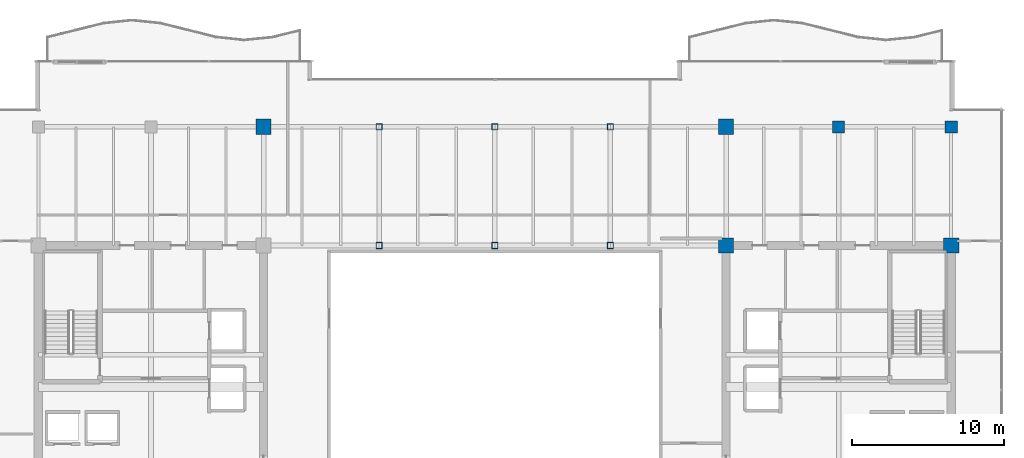
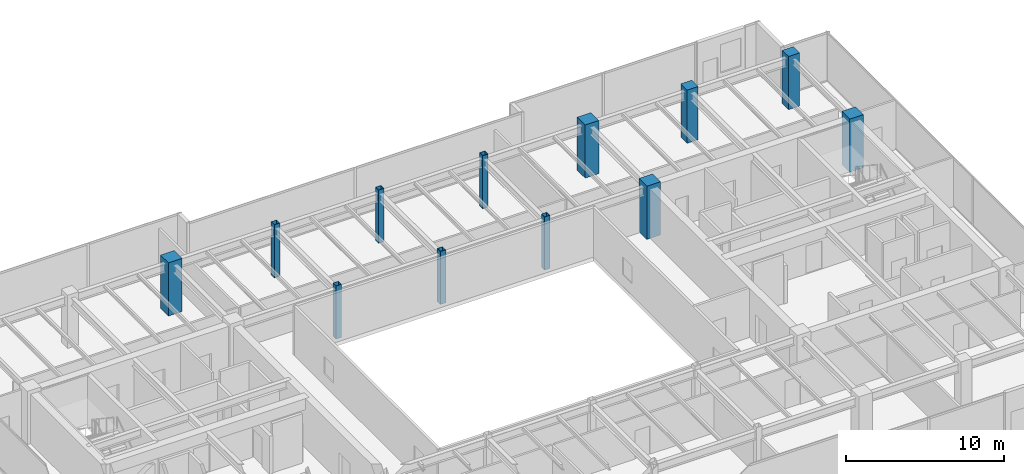
# One storey, part 3 of 34: 12 columns.
"""IFC4 building model written with IfcOpenShell, lengths in metres."""

from ifc_helpers import new_model, si_unit, direction, frame, origin, origin_2d, place, context, subcontext, project, spatial, rectangle, hollow_rectangle, extrude, source, transform, mapped, material, material_profile, profile_set, type_object, type_shapes, element, save


model = new_model("IFC4")

# Units and contexts
model_context = context("Model", 3, precision=1e-05, world=origin(), true_north=direction((0.0, 1.0)))
body_context = subcontext(model_context, "Body", "Model", "MODEL_VIEW")
ifc_project = project(units=[si_unit("LENGTHUNIT", "METRE"), si_unit("AREAUNIT", "SQUARE_METRE"), si_unit("VOLUMEUNIT", "CUBIC_METRE"), si_unit("PLANEANGLEUNIT", "RADIAN"), si_unit("MASSUNIT", "GRAM", prefix="KILO")], contexts=[model_context])

# Site, building, storey
site_placement = place(None, origin())
site = spatial("IfcSite", under=ifc_project, at=site_placement, CompositionType="ELEMENT")
building_placement = place(site_placement, origin())
building = spatial("IfcBuilding", under=site, at=building_placement, Name="Haelvirn Gate Laboratories", CompositionType="ELEMENT")
storey_placement = place(building_placement, frame((0.0, 0.0, 205.5)))
storey = spatial("IfcBuildingStorey", under=building, at=storey_placement, Name="L49", CompositionType="ELEMENT", Elevation=205.5)

# Columns
ifc_material_1 = material(Name="Concrete C60/75", Category="concrete")
ifc_material_profile_1 = material_profile(ifc_material_1, rectangle(XDim=1.0, YDim=1.0, at=origin_2d()), Name="RC-1000x1000")
ifc_profile_set_1 = profile_set([ifc_material_profile_1], Name="Concrete C60/75")
column_type_1 = type_object("IfcColumnType", Name="COL-RC-1000", PredefinedType="COLUMN", material=ifc_profile_set_1)
shared_shape_1 = source(origin(), body_context, "Body", "SweptSolid", [
    extrude(rectangle(XDim=1.0, YDim=1.0, at=origin_2d()), origin(), (0.0, 0.0, 1.0), 4.10009765625),
])
type_shapes(column_type_1, [shared_shape_1])
for number, where, z_axis, x_axis, name in (
    (1, (22.199951171875, 41.60009765625, 0.0), (0.0, 0.0, 1.0), (1.0, 0.0, 0.0), "L49 Column 4G"),
    (2, (52.60009765625, 33.800048828125, 0.0), (0.0, 0.0, 1.0), (1.0, 0.0, 0.0), "L49 Column 8F"),
    (3, (67.39990234375, 33.800048828125, 0.0), (0.0, 0.0, 1.0), (1.0, 0.0, 0.0), "L49 Column 10F"),
    (4, (52.60009765625, 41.60009765625, 0.0), (0.0, 0.0, 1.0), (1.0, 0.0, 0.0), "L49 Column 8G"),
):
    element("IfcColumn", number, at=place(storey_placement, frame(where, z_axis=z_axis, x_axis=x_axis)), inside=storey, type_object=column_type_1, Name=name, PredefinedType="COLUMN", context=body_context, shape_type="MappedRepresentation", body=[
        mapped(shared_shape_1, transform((0.0, 0.0, 0.0), scale=1.0)),
    ])
ifc_material_2 = material(Name="Concrete C50/60", Category="concrete")
ifc_material_profile_2 = material_profile(ifc_material_2, rectangle(XDim=0.800048828125, YDim=0.800048828125, at=origin_2d()), Name="RC-800x800")
ifc_profile_set_2 = profile_set([ifc_material_profile_2], Name="Concrete C50/60")
column_type_2 = type_object("IfcColumnType", Name="COL-RC-800", PredefinedType="COLUMN", material=ifc_profile_set_2)
shared_shape_2 = source(origin(), body_context, "Body", "SweptSolid", [
    extrude(rectangle(XDim=0.800048828125, YDim=0.800048828125, at=origin_2d()), origin(), (0.0, 0.0, 1.0), 4.10009765625),
])
type_shapes(column_type_2, [shared_shape_2])
for number, where, z_axis, x_axis, name in (
    (5, (60.0, 41.60009765625, 0.0), (0.0, 0.0, 1.0), (1.0, 0.0, 0.0), "L49 Column 9G"),
    (6, (67.39990234375, 41.60009765625, 0.0), (0.0, 0.0, 1.0), (1.0, 0.0, 0.0), "L49 Column 10G"),
):
    element("IfcColumn", number, at=place(storey_placement, frame(where, z_axis=z_axis, x_axis=x_axis)), inside=storey, type_object=column_type_2, Name=name, PredefinedType="COLUMN", context=body_context, shape_type="MappedRepresentation", body=[
        mapped(shared_shape_2, transform((0.0, 0.0, 0.0), scale=1.0)),
    ])
ifc_material_3 = material(Name="Steel SM355", Category="steel")
ifc_material_profile_3 = material_profile(ifc_material_3, hollow_rectangle(XDim=0.39990234375, YDim=0.39990234375, WallThickness=0.01904296875, at=origin_2d()), Name="BOX-400x400x19")
ifc_profile_set_3 = profile_set([ifc_material_profile_3], Name="Steel SM355")
column_type_3 = type_object("IfcColumnType", Name="COL-BOX-400", PredefinedType="COLUMN", material=ifc_profile_set_3)
shared_shape_3 = source(origin(), body_context, "Body", "SweptSolid", [
    extrude(hollow_rectangle(XDim=0.39990234375, YDim=0.39990234375, WallThickness=0.01904296875, at=origin_2d()), origin(), (0.0, 0.0, 1.0), 4.10009765625),
])
type_shapes(column_type_3, [shared_shape_3])
for number, where, z_axis, x_axis, name in (
    (7, (29.800048828125, 33.800048828125, 0.0), (0.0, 0.0, 1.0), (1.0, 0.0, 0.0), "L49 Column 5F"),
    (8, (29.800048828125, 41.60009765625, 0.0), (0.0, 0.0, 1.0), (1.0, 0.0, 0.0), "L49 Column 5G"),
    (9, (37.39990234375, 33.800048828125, 0.0), (0.0, 0.0, 1.0), (1.0, 0.0, 0.0), "L49 Column 6F"),
    (10, (37.39990234375, 41.60009765625, 0.0), (0.0, 0.0, 1.0), (1.0, 0.0, 0.0), "L49 Column 6G"),
    (11, (45.0, 33.800048828125, 0.0), (0.0, 0.0, 1.0), (1.0, 0.0, 0.0), "L49 Column 7F"),
    (12, (45.0, 41.60009765625, 0.0), (0.0, 0.0, 1.0), (1.0, 0.0, 0.0), "L49 Column 7G"),
):
    element("IfcColumn", number, at=place(storey_placement, frame(where, z_axis=z_axis, x_axis=x_axis)), inside=storey, type_object=column_type_3, Name=name, PredefinedType="COLUMN", context=body_context, shape_type="MappedRepresentation", body=[
        mapped(shared_shape_3, transform((0.0, 0.0, 0.0), scale=1.0)),
    ])

save(model, "model.ifc")
